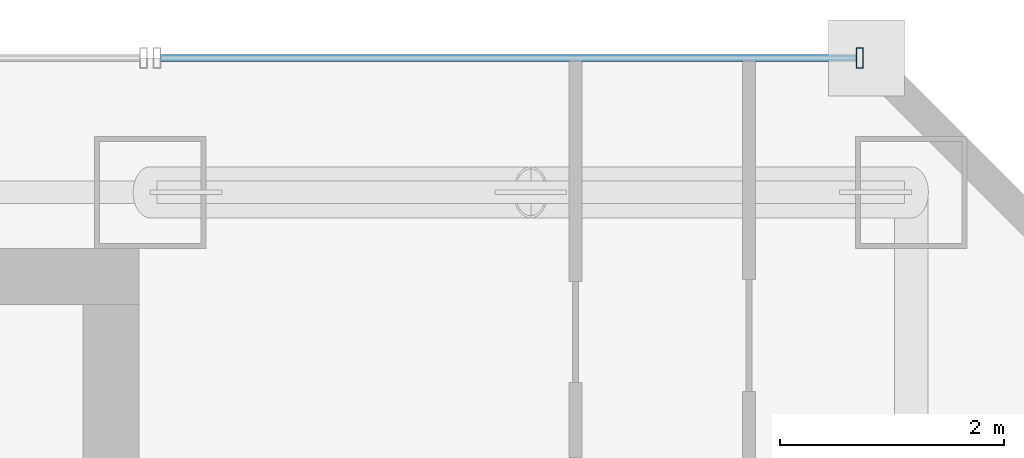
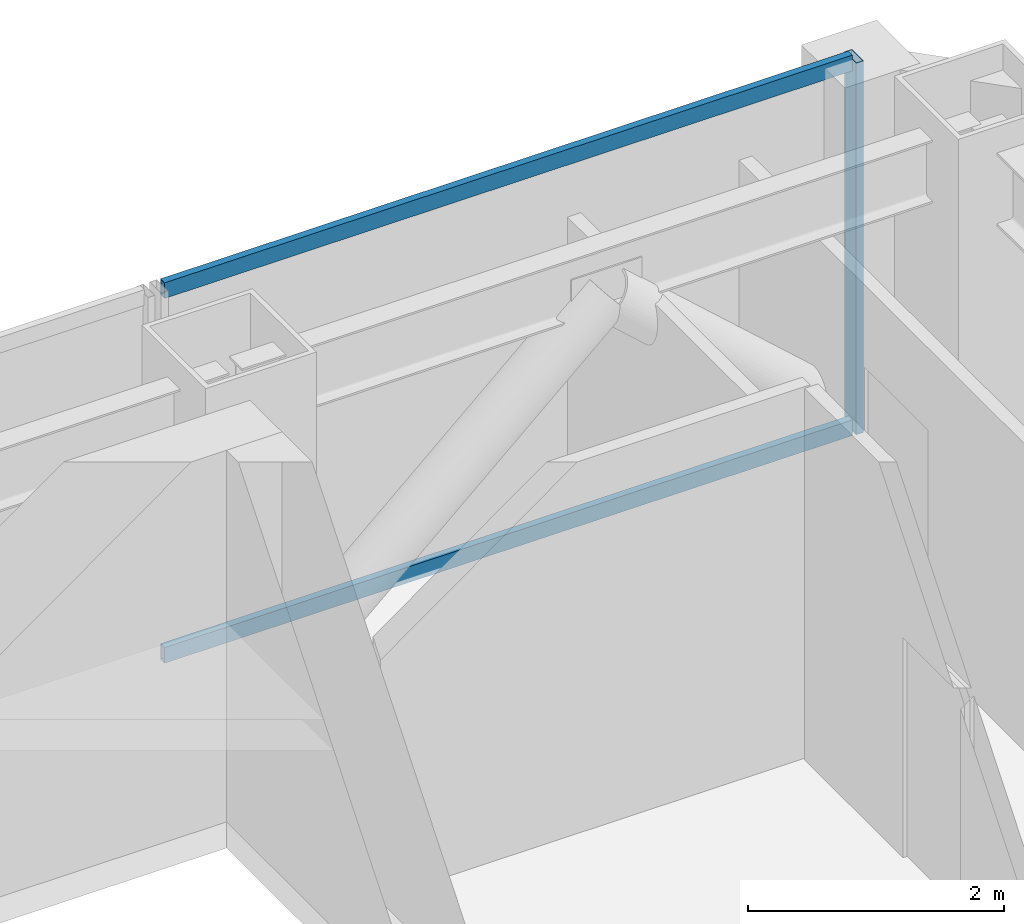
# One storey, part 28 of 37: 3 members, 1 element without a shape of its own.
"""IFC4 building model written with IfcOpenShell, lengths in metres."""

from ifc_helpers import new_model, si_unit, direction, frame, origin, origin_2d, place, context, subcontext, project, spatial, hollow_rectangle, extrude, material, material_profile, profile_set, type_object, element, aggregate, save


model = new_model("IFC4")

# Units and contexts
model_context = context("Model", 3, precision=1e-05, world=origin(), true_north=direction((0.0, 1.0)))
body_context = subcontext(model_context, "Body", "Model", "MODEL_VIEW")
ifc_project = project(units=[si_unit("LENGTHUNIT", "METRE"), si_unit("AREAUNIT", "SQUARE_METRE"), si_unit("VOLUMEUNIT", "CUBIC_METRE"), si_unit("PLANEANGLEUNIT", "RADIAN"), si_unit("MASSUNIT", "GRAM", prefix="KILO")], contexts=[model_context])

# Site, building, storey
site_placement = place(None, origin())
site = spatial("IfcSite", under=ifc_project, at=site_placement, CompositionType="ELEMENT")
building_placement = place(site_placement, origin())
building = spatial("IfcBuilding", under=site, at=building_placement, Name="Saevonmaru Cultural Tower", CompositionType="ELEMENT")
storey_placement = place(building_placement, frame((0.0, 0.0, 163.800048828125)))
storey = spatial("IfcBuildingStorey", under=building, at=storey_placement, Name="L36", CompositionType="ELEMENT", Elevation=163.800048828125)

# Curtain wall, members
ifc_material = material(Name="Satin Bronze Anodised Aluminium", Category="aluminium")
curtain_wall_type = type_object("IfcCurtainWallType", Name="CW-TYP-A", PredefinedType="NOTDEFINED", material=ifc_material)
curtain_wall_placement = place(storey_placement, origin())
curtain_wall = element("IfcCurtainWall", 1, at=curtain_wall_placement, inside=storey, type_object=curtain_wall_type, Name="L36 East Braced Bay Spandrel Curtain Wall E10A", PredefinedType="NOTDEFINED")
ifc_material_profile_1 = material_profile(ifc_material, hollow_rectangle(XDim=0.06494140625, YDim=0.179931640625, WallThickness=0.00390625, at=origin_2d()), Name="ALU-MULL-180x65x4")
ifc_profile_set_1 = profile_set([ifc_material_profile_1], Name="Satin Bronze Anodised Aluminium")
member_type_1 = type_object("IfcMemberType", Name="ML-CW-180x65", PredefinedType="MULLION", material=ifc_profile_set_1)
member_1_placement = place(storey_placement, frame((52.739990234375, 56.0, 0.0), z_axis=(0.0, 0.0, 1.0), x_axis=(-1.0, 0.0, 0.0)))
member_1 = element("IfcMember", 2, at=member_1_placement, type_object=member_type_1, Name="CW-TW-L36-E10A mullion 1", PredefinedType="MULLION", context=body_context, shape_type="SweptSolid", body=[
    extrude(hollow_rectangle(XDim=0.06494140625, YDim=0.179931640625, WallThickness=0.00390625, at=origin_2d()), origin(), (0.0, 0.0, 1.0), 3.550048828125),
])
ifc_material_profile_2 = material_profile(ifc_material, hollow_rectangle(XDim=0.06494140625, YDim=0.14990234375, WallThickness=0.00390625, at=origin_2d()), Name="ALU-TRAN-150x65x4")
ifc_profile_set_2 = profile_set([ifc_material_profile_2], Name="Satin Bronze Anodised Aluminium")
member_type_2 = type_object("IfcMemberType", Name="TR-CW-150x65", PredefinedType="USERDEFINED", material=ifc_profile_set_2)
member_2_placement = place(storey_placement, frame((52.70751953125, 56.0, 0.032470703125), z_axis=(-1.0, 0.0, 0.0), x_axis=(0.0, -1.0, 0.0)))
member_2 = element("IfcMember", 3, at=member_2_placement, type_object=member_type_2, Name="CW-TW-L36-E10A transom 1.1", ObjectType="TRANSOM", PredefinedType="USERDEFINED", context=body_context, shape_type="SweptSolid", body=[
    extrude(hollow_rectangle(XDim=0.06494140625, YDim=0.14990234375, WallThickness=0.00390625, at=origin_2d()), origin(), (0.0, 0.0, 1.0), 6.215087890625),
])
member_3_placement = place(storey_placement, frame((52.70751953125, 56.0, 3.517333984375), z_axis=(-1.0, 0.0, 0.0), x_axis=(0.0, -1.0, 0.0)))
member_3 = element("IfcMember", 4, at=member_3_placement, type_object=member_type_2, Name="CW-TW-L36-E10A transom 1.2", ObjectType="TRANSOM", PredefinedType="USERDEFINED", context=body_context, shape_type="SweptSolid", body=[
    extrude(hollow_rectangle(XDim=0.06494140625, YDim=0.14990234375, WallThickness=0.00390625, at=origin_2d()), origin(), (0.0, 0.0, 1.0), 6.215087890625),
])
aggregate(curtain_wall, [member_1, member_2, member_3])

save(model, "model.ifc")
